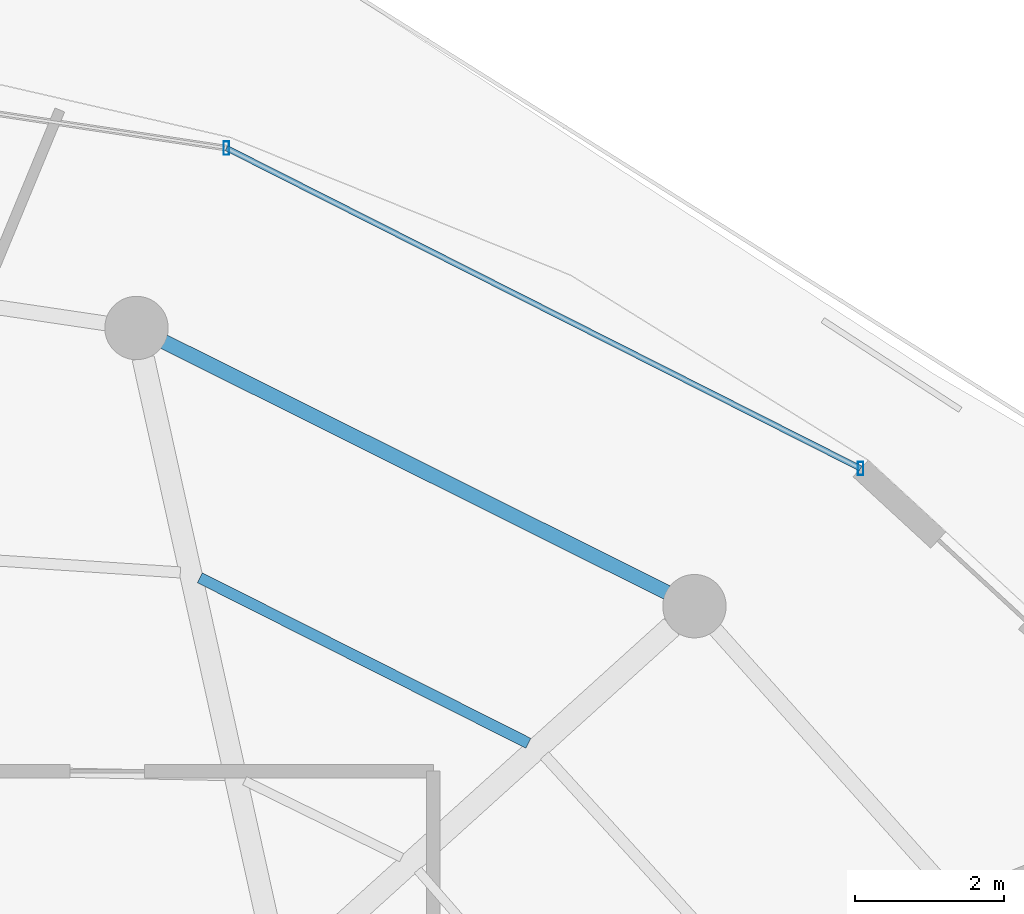
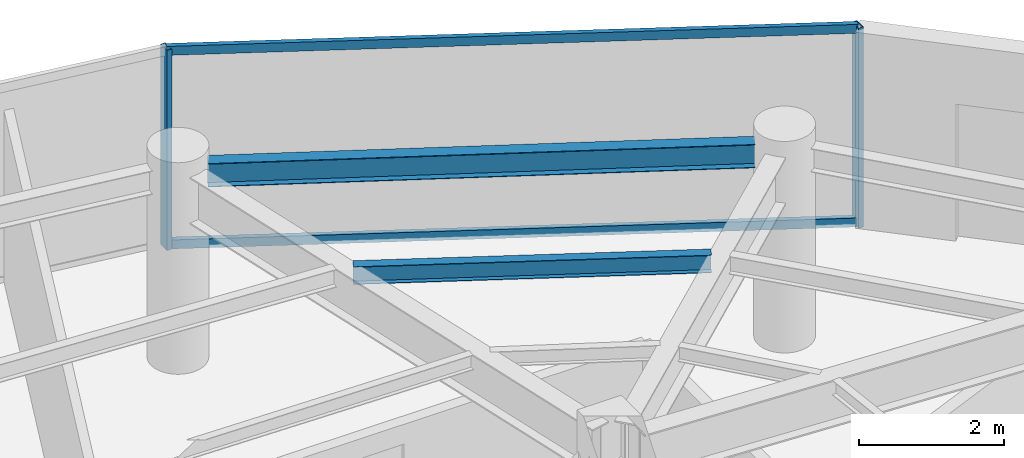
# One storey, part 21 of 31: 4 members, 2 beams, 1 element without a shape of its own.
"""IFC4 building model written with IfcOpenShell, lengths in metres."""

from ifc_helpers import new_model, si_unit, direction, frame, origin, origin_2d, place, context, subcontext, project, spatial, hollow_rectangle, i_section, extrude, material, material_profile, profile_set, type_object, element, aggregate, save


model = new_model("IFC4")

# Units and contexts
model_context = context("Model", 3, precision=1e-05, world=origin(), true_north=direction((0.0, 1.0)))
body_context = subcontext(model_context, "Body", "Model", "MODEL_VIEW")
ifc_project = project(units=[si_unit("LENGTHUNIT", "METRE"), si_unit("AREAUNIT", "SQUARE_METRE"), si_unit("VOLUMEUNIT", "CUBIC_METRE"), si_unit("PLANEANGLEUNIT", "RADIAN"), si_unit("MASSUNIT", "GRAM", prefix="KILO")], contexts=[model_context])

# Site, building, storey
site_placement = place(None, origin())
site = spatial("IfcSite", under=ifc_project, at=site_placement, CompositionType="ELEMENT")
building_placement = place(site_placement, origin())
building = spatial("IfcBuilding", under=site, at=building_placement, Name="Vorneva Point Tower", CompositionType="ELEMENT")
storey_placement = place(building_placement, frame((0.0, 0.0, 244.89990234375)))
storey = spatial("IfcBuildingStorey", under=building, at=storey_placement, Name="L66", CompositionType="ELEMENT", Elevation=244.89990234375)

# Beams
ifc_material_1 = material(Name="Steel S355", Category="steel")
ifc_material_profile_1 = material_profile(ifc_material_1, i_section(OverallWidth=0.14892578125, OverallDepth=0.298095703125, WebThickness=0.005615234375, FlangeThickness=0.008056640625, at=origin_2d()), Name="30B1")
ifc_profile_set_1 = profile_set([ifc_material_profile_1], Name="Steel S355")
beam_type_1 = type_object("IfcBeamType", Name="BM-JST-30B1", PredefinedType="JOIST", material=ifc_profile_set_1)
beam_1_placement = place(storey_placement, frame((52.07275390625, 36.32470703125, 3.14111328125), z_axis=(-0.893046523207, 0.449964340129, 0.0), x_axis=(-0.449964340129, -0.893046523207, 0.0)))
element("IfcBeam", 1, at=beam_1_placement, inside=storey, type_object=beam_type_1, Name="L66 Secondary Floor Beam 1.03", PredefinedType="JOIST", context=body_context, shape_type="SweptSolid", body=[
    extrude(i_section(OverallWidth=0.14892578125, OverallDepth=0.298095703125, WebThickness=0.005615234375, FlangeThickness=0.008056640625, at=origin_2d()), origin(), (0.0, 0.0, 1.0), 4.930908203125),
])
ifc_material_profile_2 = material_profile(ifc_material_1, i_section(OverallWidth=0.198974609375, OverallDepth=0.39599609375, WebThickness=0.007080078125, FlangeThickness=0.010986328125, at=origin_2d()), Name="40B1")
ifc_profile_set_2 = profile_set([ifc_material_profile_2], Name="Steel S355")
beam_type_2 = type_object("IfcBeamType", Name="BM-SPN-40B1", PredefinedType="SPANDREL", material=ifc_profile_set_2)
beam_2_placement = place(storey_placement, frame((53.931884765625, 38.34521484375, 3.092041015625), z_axis=(-0.894932011528, 0.446202526599, 0.0), x_axis=(-0.446202526599, -0.894932011528, 0.0)))
element("IfcBeam", 2, at=beam_2_placement, inside=storey, type_object=beam_type_2, Name="L66 Perimeter Spandrel Ring Beam 03", PredefinedType="SPANDREL", context=body_context, shape_type="SweptSolid", body=[
    extrude(i_section(OverallWidth=0.198974609375, OverallDepth=0.39599609375, WebThickness=0.007080078125, FlangeThickness=0.010986328125, at=origin_2d()), origin(), (0.0, 0.0, 1.0), 7.535888671875),
])

# Curtain wall, members
ifc_material_2 = material(Name="Pale anodised aluminium", Category="aluminium")
curtain_wall_type = type_object("IfcCurtainWallType", Name="CW-RES-SYS", PredefinedType="NOTDEFINED", material=ifc_material_2)
curtain_wall_placement = place(storey_placement, origin())
curtain_wall = element("IfcCurtainWall", 3, at=curtain_wall_placement, inside=storey, type_object=curtain_wall_type, Name="L66 Unitised Curtain Wall CW-L66-R02", PredefinedType="NOTDEFINED")
ifc_material_profile_3 = material_profile(ifc_material_2, hollow_rectangle(XDim=0.074951171875, YDim=0.179931640625, WallThickness=0.00390625, at=origin_2d()), Name="AL-MUL 180x75x4")
ifc_profile_set_3 = profile_set([ifc_material_profile_3], Name="Pale anodised aluminium")
member_type_1 = type_object("IfcMemberType", Name="CW-MUL-180", PredefinedType="MULLION", material=ifc_profile_set_3)
member_1_placement = place(storey_placement, frame((56.526123046875, 40.0078125, -0.039794921875), z_axis=(0.0, 0.0, 1.0), x_axis=(1.0, 0.0, 0.0)))
member_1 = element("IfcMember", 4, at=member_1_placement, type_object=member_type_1, Name="CW-L66-R02 Mullion 01", PredefinedType="MULLION", context=body_context, shape_type="SweptSolid", body=[
    extrude(hollow_rectangle(XDim=0.074951171875, YDim=0.179931640625, WallThickness=0.00390625, at=origin_2d()), origin(), (0.0, 0.0, 1.0), 3.35986328125),
])
member_2_placement = place(storey_placement, frame((48.0263671875, 44.302001953125, -0.039794921875), z_axis=(0.0, 0.0, 1.0), x_axis=(1.0, 0.0, 0.0)))
member_2 = element("IfcMember", 5, at=member_2_placement, type_object=member_type_1, Name="CW-L66-R02 Mullion 02", PredefinedType="MULLION", context=body_context, shape_type="SweptSolid", body=[
    extrude(hollow_rectangle(XDim=0.074951171875, YDim=0.179931640625, WallThickness=0.00390625, at=origin_2d()), origin(), (0.0, 0.0, 1.0), 3.35986328125),
])
ifc_material_profile_4 = material_profile(ifc_material_2, hollow_rectangle(XDim=0.074951171875, YDim=0.14990234375, WallThickness=0.00390625, at=origin_2d()), Name="AL-TRN 150x75x4")
ifc_profile_set_4 = profile_set([ifc_material_profile_4], Name="Pale anodised aluminium")
member_type_2 = type_object("IfcMemberType", Name="CW-TRN-150", PredefinedType="USERDEFINED", material=ifc_profile_set_4)
member_3_placement = place(storey_placement, frame((56.526123046875, 40.0078125, 0.02001953125), z_axis=(-0.892558185815, 0.450932239848, 0.0), x_axis=(-0.450932239848, -0.892558185815, 0.0)))
member_3 = element("IfcMember", 6, at=member_3_placement, type_object=member_type_2, Name="CW-L66-R02 Transom 01.1", ObjectType="TRANSOM", PredefinedType="USERDEFINED", context=body_context, shape_type="SweptSolid", body=[
    extrude(hollow_rectangle(XDim=0.074951171875, YDim=0.14990234375, WallThickness=0.00390625, at=origin_2d()), origin(), (0.0, 0.0, 1.0), 9.52294921875),
])
member_4_placement = place(storey_placement, frame((56.526123046875, 40.0078125, 3.27001953125), z_axis=(-0.892558185815, 0.450932239848, 0.0), x_axis=(-0.450932239848, -0.892558185815, 0.0)))
member_4 = element("IfcMember", 7, at=member_4_placement, type_object=member_type_2, Name="CW-L66-R02 Transom 01.2", ObjectType="TRANSOM", PredefinedType="USERDEFINED", context=body_context, shape_type="SweptSolid", body=[
    extrude(hollow_rectangle(XDim=0.074951171875, YDim=0.14990234375, WallThickness=0.00390625, at=origin_2d()), origin(), (0.0, 0.0, 1.0), 9.52294921875),
])
aggregate(curtain_wall, [member_1, member_2, member_3, member_4])

save(model, "model.ifc")
